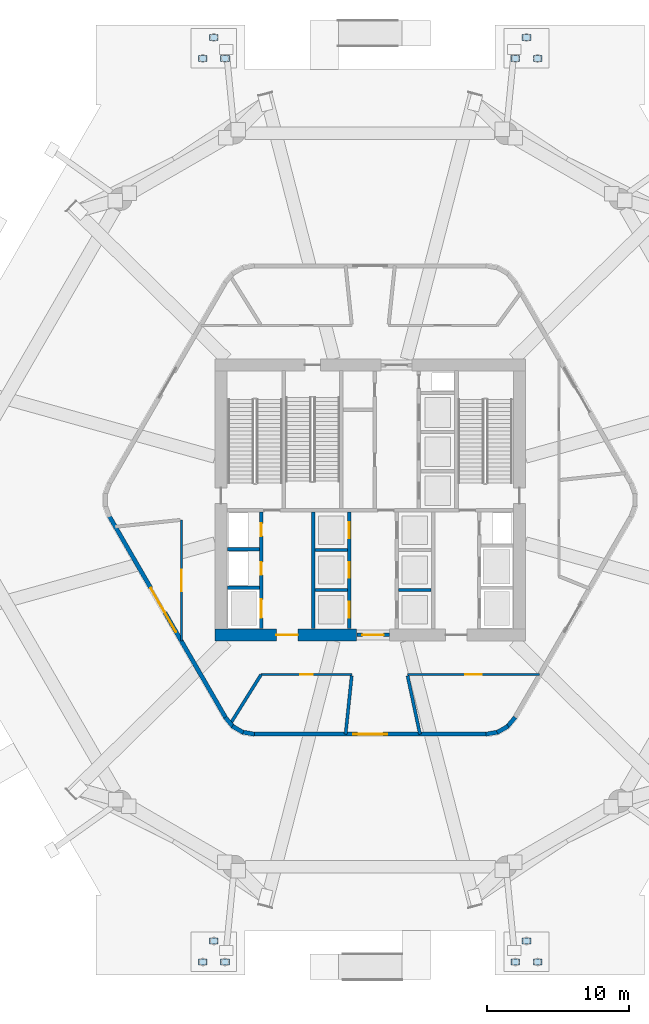
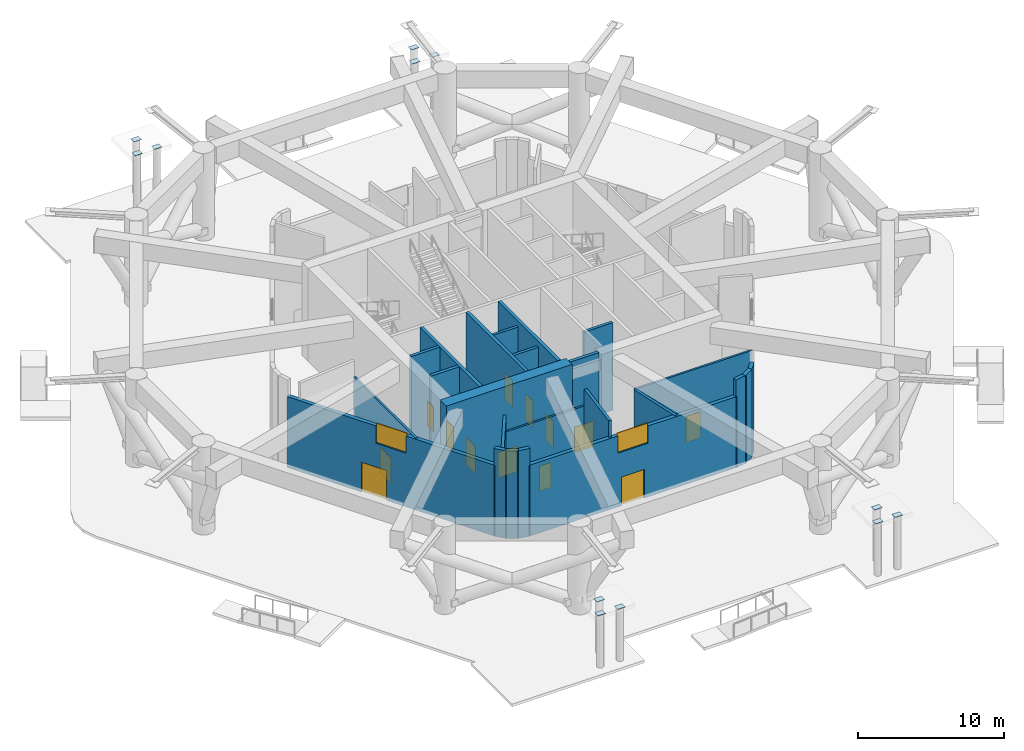
# One storey, part 9 of 17: 24 walls, 13 doors, 12 plates, 2 windows, 15 openings.
"""IFC4 building model written with IfcOpenShell, lengths in metres."""

from ifc_helpers import new_model, si_unit, direction, frame, frame_2d, origin, origin_2d, place, context, subcontext, project, spatial, rectangle, extrude, material, layer, layer_set, type_object, element, fill, save


model = new_model("IFC4")

# Units and contexts
model_context = context("Model", 3, precision=1e-05, world=origin(), true_north=direction((0.0, 1.0)))
body_context = subcontext(model_context, "Body", "Model", "MODEL_VIEW")
ifc_project = project(units=[si_unit("LENGTHUNIT", "METRE"), si_unit("AREAUNIT", "SQUARE_METRE"), si_unit("VOLUMEUNIT", "CUBIC_METRE"), si_unit("PLANEANGLEUNIT", "RADIAN"), si_unit("MASSUNIT", "GRAM", prefix="KILO")], contexts=[model_context])

# Site, building, storey
site_placement = place(None, origin())
site = spatial("IfcSite", under=ifc_project, at=site_placement, CompositionType="ELEMENT")
building_placement = place(site_placement, origin())
building = spatial("IfcBuilding", under=site, at=building_placement, Name="Zuhravey Tower", CompositionType="ELEMENT")
storey_placement = place(building_placement, origin())
storey = spatial("IfcBuildingStorey", under=building, at=storey_placement, Name="L01", CompositionType="ELEMENT", Elevation=0.0)

# Plates
ifc_material_1 = material(Name="Steel SM460", Category="steel")
ifc_layer_1 = layer(ifc_material_1, 0.030029296875)
ifc_layer_set_1 = layer_set([ifc_layer_1], Name="Steel SM460")
plate_type = type_object("IfcPlateType", Name="Crown Base Anchor Node Plate ND9", PredefinedType="SHEET", material=ifc_layer_set_1)
for number, where, z_axis, x_axis, name in (
    (1, (24.219970703125, -0.52001953125, 4.41943359375), (0.0, 0.0, 1.0), (1.0, 0.0, 0.0), "L01 Canopy Column Cap Plate ND9-S1.1"),
    (2, (25.780029296875, -0.52001953125, 4.41943359375), (0.0, 0.0, 1.0), (1.0, 0.0, 0.0), "L01 Canopy Column Cap Plate ND9-S1.2"),
    (3, (25.0, 0.9599609375, 4.41943359375), (0.0, 0.0, 1.0), (1.0, 0.0, 0.0), "L01 Canopy Column Cap Plate ND9-S1.3"),
    (4, (46.219970703125, -0.52001953125, 4.41943359375), (0.0, 0.0, 1.0), (1.0, 0.0, 0.0), "L01 Canopy Column Cap Plate ND9-S2.1"),
    (5, (47.780029296875, -0.52001953125, 4.41943359375), (0.0, 0.0, 1.0), (1.0, 0.0, 0.0), "L01 Canopy Column Cap Plate ND9-S2.2"),
    (6, (47.0, 0.9599609375, 4.41943359375), (0.0, 0.0, 1.0), (1.0, 0.0, 0.0), "L01 Canopy Column Cap Plate ND9-S2.3"),
    (7, (24.219970703125, 63.080078125, 4.41943359375), (0.0, 0.0, 1.0), (1.0, 0.0, 0.0), "L01 Canopy Column Cap Plate ND9-N1.1"),
    (8, (25.780029296875, 63.080078125, 4.41943359375), (0.0, 0.0, 1.0), (1.0, 0.0, 0.0), "L01 Canopy Column Cap Plate ND9-N1.2"),
    (9, (25.0, 64.56005859375, 4.41943359375), (0.0, 0.0, 1.0), (1.0, 0.0, 0.0), "L01 Canopy Column Cap Plate ND9-N1.3"),
    (10, (46.219970703125, 63.080078125, 4.41943359375), (0.0, 0.0, 1.0), (1.0, 0.0, 0.0), "L01 Canopy Column Cap Plate ND9-N2.1"),
    (11, (47.780029296875, 63.080078125, 4.41943359375), (0.0, 0.0, 1.0), (1.0, 0.0, 0.0), "L01 Canopy Column Cap Plate ND9-N2.2"),
    (12, (47.0, 64.56005859375, 4.41943359375), (0.0, 0.0, 1.0), (1.0, 0.0, 0.0), "L01 Canopy Column Cap Plate ND9-N2.3"),
):
    element("IfcPlate", number, at=place(storey_placement, frame(where, z_axis=z_axis, x_axis=x_axis)), inside=storey, type_object=plate_type, Name=name, PredefinedType="SHEET", context=body_context, shape_type="SweptSolid", body=[
        extrude(rectangle(XDim=0.60009765625, YDim=0.43994140625, at=origin_2d()), origin(), (0.0, 0.0, 1.0), 0.030029296875),
    ])

# Wall, opening, door
ifc_material_2 = material(Name="Concrete C60/75", Category="concrete")
ifc_layer_2 = layer(ifc_material_2, 0.85009765625)
ifc_layer_set_2 = layer_set([ifc_layer_2], Name="Concrete C60/75")
wall_type_1 = type_object("IfcWallType", Name="Core Shear Wall 850", PredefinedType="SHEAR", material=ifc_layer_set_2)
wall_1_placement = place(storey_placement, frame((25.074951171875, 22.5, 0.0), z_axis=(0.0, 0.0, 1.0), x_axis=(1.0, 0.0, 0.0)))
wall_1 = element("IfcWall", 13, at=wall_1_placement, inside=storey, type_object=wall_type_1, Name="L01 South-West Core Shear Wall CW85", PredefinedType="SHEAR", context=body_context, shape_type="SweptSolid", body=[
    extrude(rectangle(XDim=9.97509765625, YDim=0.85009765625, at=frame_2d((4.987548828125, 0.0))), origin(), (0.0, 0.0, 1.0), 7.800048828125),
])
opening_1_placement = place(wall_1_placement, frame((4.324951171875, 0.0, 0.0)))
opening_1 = element("IfcOpeningElement", 14, at=opening_1_placement, cuts=wall_1, Name="Opening FFD1", PredefinedType="OPENING", context=body_context, shape_type="SweptSolid", body=[
    extrude(rectangle(XDim=1.5, YDim=2.14990234375, at=frame_2d((0.75, 1.074951171875))), frame((0.0, 0.43701171875, 0.0), z_axis=(0.0, -1.0, 0.0), x_axis=(1.0, 0.0, 0.0)), (0.0, 0.0, 1.0), 0.8740234375),
])
ifc_material_3 = material(Name="Galvanised fire-rated steel leaf", Category="steel")
door_type_1 = type_object("IfcDoorType", Name="Firefighting Lobby Double Door 1500x2150", OperationType="DOUBLE_DOOR_SINGLE_SWING", PredefinedType="DOOR", material=ifc_material_3)
door_1_placement = place(opening_1_placement, frame((1.5, 0.0, 0.0), z_axis=(0.0, 0.0, 1.0), x_axis=(-1.0, 0.0, 0.0)))
door_1 = element("IfcDoor", 15, at=door_1_placement, inside=storey, type_object=door_type_1, Name="L01 Firefighting Lobby West Door", OperationType="DOUBLE_DOOR_SINGLE_SWING", OverallHeight=2.14990234375, OverallWidth=1.5, PredefinedType="DOOR", context=body_context, shape_type="SweptSolid", body=[
    extrude(rectangle(XDim=1.5, YDim=2.14990234375, at=frame_2d((0.75, 1.074951171875))), frame((0.0, 0.02490234375, 0.0), z_axis=(0.0, -1.0, 0.0), x_axis=(1.0, 0.0, 0.0)), (0.0, 0.0, 1.0), 0.050048828125),
])
fill(opening_1, door_1)

ifc_material_4 = material(Name="Gypsum fire-rated stud partition")
ifc_layer_3 = layer(ifc_material_4, 0.159912109375)
ifc_layer_set_3 = layer_set([ifc_layer_3], Name="Gypsum fire-rated stud partition")
wall_type_2 = type_object("IfcWallType", Name="Corridor Fire Partition 160", PredefinedType="PARTITIONING", material=ifc_layer_set_3)
wall_2_placement = place(storey_placement, frame((22.715087890625, 30.603759765625, 0.0), z_axis=(0.0, 0.0, 1.0), x_axis=(0.0, -1.0, 0.0)))
wall_2 = element("IfcWall", 16, at=wall_2_placement, inside=storey, type_object=wall_type_2, Name="L01 IW16 Partition 019", PredefinedType="PARTITIONING", context=body_context, shape_type="SweptSolid", body=[
    extrude(rectangle(XDim=8.52880859375, YDim=0.159912109375, at=frame_2d((4.264404296875, 0.0))), origin(), (0.0, 0.0, 1.0), 5.949951171875),
])
opening_2_placement = place(wall_2_placement, frame((3.514404296875, 0.0, 0.0)))
opening_2 = element("IfcOpeningElement", 17, at=opening_2_placement, cuts=wall_2, Name="Opening FFD1", PredefinedType="OPENING", context=body_context, shape_type="SweptSolid", body=[
    extrude(rectangle(XDim=1.5, YDim=2.14990234375, at=frame_2d((0.75, 1.074951171875))), frame((0.0, 0.092041015625, 0.0), z_axis=(0.0, -1.0, 0.0), x_axis=(1.0, 0.0, 0.0)), (0.0, 0.0, 1.0), 0.183837890625),
])
door_2_placement = place(opening_2_placement, frame((1.5, 0.0, 0.0), z_axis=(0.0, 0.0, 1.0), x_axis=(-1.0, 0.0, 0.0)))
door_2 = element("IfcDoor", 18, at=door_2_placement, inside=storey, type_object=door_type_1, Name="L01 Door 019.1", OperationType="DOUBLE_DOOR_SINGLE_SWING", OverallHeight=2.14990234375, OverallWidth=1.5, PredefinedType="DOOR", context=body_context, shape_type="SweptSolid", body=[
    extrude(rectangle(XDim=1.5, YDim=2.14990234375, at=frame_2d((0.75, 1.074951171875))), frame((0.0, 0.02490234375, 0.0), z_axis=(0.0, -1.0, 0.0), x_axis=(1.0, 0.0, 0.0)), (0.0, 0.0, 1.0), 0.050048828125),
])
fill(opening_2, door_2)

wall_3_placement = place(storey_placement, frame((38.611328125, 19.715087890625, 0.0), z_axis=(0.0, 0.0, 1.0), x_axis=(1.0, 0.0, 0.0)))
wall_3 = element("IfcWall", 19, at=wall_3_placement, inside=storey, type_object=wall_type_2, Name="L01 IW16 Partition 021", PredefinedType="PARTITIONING", context=body_context, shape_type="SweptSolid", body=[
    extrude(rectangle(XDim=9.311279296875, YDim=0.159912109375, at=frame_2d((4.65576171875, 0.0))), origin(), (0.0, 0.0, 1.0), 5.949951171875),
])
opening_3_placement = place(wall_3_placement, frame((4.08056640625, 0.0, 0.0)))
opening_3 = element("IfcOpeningElement", 20, at=opening_3_placement, cuts=wall_3, Name="Opening CLD1", PredefinedType="OPENING", context=body_context, shape_type="SweptSolid", body=[
    extrude(rectangle(XDim=1.14990234375, YDim=2.199951171875, at=frame_2d((0.574951171875, 1.10009765625))), frame((0.0, 0.092041015625, 0.0), z_axis=(0.0, -1.0, 0.0), x_axis=(1.0, 0.0, 0.0)), (0.0, 0.0, 1.0), 0.183837890625),
])
ifc_material_5 = material(Name="Acoustic timber leaf with vision lite", Category="wood")
door_type_2 = type_object("IfcDoorType", Name="Classroom Acoustic Door 1150x2200", OperationType="NOTDEFINED", PredefinedType="DOOR", material=ifc_material_5)
door_3_placement = place(opening_3_placement, frame((1.14990234375, 0.0, 0.0), z_axis=(0.0, 0.0, 1.0), x_axis=(-1.0, 0.0, 0.0)))
door_3 = element("IfcDoor", 21, at=door_3_placement, inside=storey, type_object=door_type_2, Name="L01 Door 021.1", OperationType="SINGLE_SWING_RIGHT", OverallHeight=2.199951171875, OverallWidth=1.14990234375, PredefinedType="DOOR", context=body_context, shape_type="SweptSolid", body=[
    extrude(rectangle(XDim=1.14990234375, YDim=2.199951171875, at=frame_2d((0.574951171875, 1.10009765625))), frame((0.0, 0.02490234375, 0.0), z_axis=(0.0, -1.0, 0.0), x_axis=(1.0, 0.0, 0.0)), (0.0, 0.0, 1.0), 0.050048828125),
])
fill(opening_3, door_3)

wall_4_placement = place(storey_placement, frame((28.323486328125, 19.715087890625, 0.0), z_axis=(0.0, 0.0, 1.0), x_axis=(1.0, 0.0, 0.0)))
wall_4 = element("IfcWall", 22, at=wall_4_placement, inside=storey, type_object=wall_type_2, Name="L01 IW16 Partition 026", PredefinedType="PARTITIONING", context=body_context, shape_type="SweptSolid", body=[
    extrude(rectangle(XDim=6.38525390625, YDim=0.159912109375, at=frame_2d((3.192626953125, 0.0))), origin(), (0.0, 0.0, 1.0), 5.949951171875),
])
opening_4_placement = place(wall_4_placement, frame((2.74267578125, 0.0, 0.0)))
opening_4 = element("IfcOpeningElement", 23, at=opening_4_placement, cuts=wall_4, Name="Opening RSD1", PredefinedType="OPENING", context=body_context, shape_type="SweptSolid", body=[
    extrude(rectangle(XDim=0.89990234375, YDim=2.10009765625, at=frame_2d((0.449951171875, 1.050048828125))), frame((0.0, 0.092041015625, 0.0), z_axis=(0.0, -1.0, 0.0), x_axis=(1.0, 0.0, 0.0)), (0.0, 0.0, 1.0), 0.183837890625),
])
ifc_material_6 = material(Name="Galvanised fire-rated steel access leaf", Category="steel")
door_type_3 = type_object("IfcDoorType", Name="Riser & Shaft Access Fire Door 900x2100", OperationType="NOTDEFINED", PredefinedType="DOOR", material=ifc_material_6)
door_4_placement = place(opening_4_placement, frame((0.89990234375, 0.0, 0.0), z_axis=(0.0, 0.0, 1.0), x_axis=(-1.0, 0.0, 0.0)))
door_4 = element("IfcDoor", 24, at=door_4_placement, inside=storey, type_object=door_type_3, Name="L01 Door 026.1", OperationType="SINGLE_SWING_LEFT", OverallHeight=2.10009765625, OverallWidth=0.89990234375, PredefinedType="DOOR", context=body_context, shape_type="SweptSolid", body=[
    extrude(rectangle(XDim=0.89990234375, YDim=2.10009765625, at=frame_2d((0.449951171875, 1.050048828125))), frame((0.0, 0.02490234375, 0.0), z_axis=(0.0, -1.0, 0.0), x_axis=(1.0, 0.0, 0.0)), (0.0, 0.0, 1.0), 0.050048828125),
])
fill(opening_4, door_4)

ifc_material_7 = material(Name="Concrete C50/60", Category="concrete")
ifc_layer_4 = layer(ifc_material_7, 0.25)
ifc_layer_set_4 = layer_set([ifc_layer_4], Name="Concrete C50/60")
wall_type_3 = type_object("IfcWallType", Name="Firefighting Shaft & Stair Wall 250", PredefinedType="SOLIDWALL", material=ifc_layer_set_4)
wall_5_placement = place(storey_placement, frame((35.06005859375, 22.5, 0.0), z_axis=(0.0, 0.0, 1.0), x_axis=(1.0, 0.0, 0.0)))
wall_5 = element("IfcWall", 25, at=wall_5_placement, inside=storey, type_object=wall_type_3, Name="L01 FW25 Shaft Wall 001", PredefinedType="SOLIDWALL", context=body_context, shape_type="SweptSolid", body=[
    extrude(rectangle(XDim=2.280029296875, YDim=0.25, at=frame_2d((1.14013671875, 0.0))), origin(), (0.0, 0.0, 1.0), 7.800048828125),
])
opening_5_placement = place(wall_5_placement, frame((0.389892578125, 0.0, 0.0)))
opening_5 = element("IfcOpeningElement", 26, at=opening_5_placement, cuts=wall_5, Name="Opening FFD1", PredefinedType="OPENING", context=body_context, shape_type="SweptSolid", body=[
    extrude(rectangle(XDim=1.5, YDim=2.14990234375, at=frame_2d((0.75, 1.074951171875))), frame((0.0, 0.136962890625, 0.0), z_axis=(0.0, -1.0, 0.0), x_axis=(1.0, 0.0, 0.0)), (0.0, 0.0, 1.0), 0.27392578125),
])
door_5_placement = place(opening_5_placement, frame((1.5, 0.0, 0.0), z_axis=(0.0, 0.0, 1.0), x_axis=(-1.0, 0.0, 0.0)))
door_5 = element("IfcDoor", 27, at=door_5_placement, inside=storey, type_object=door_type_1, Name="L01 South Lift Lobby Exit Door", OperationType="DOUBLE_DOOR_SINGLE_SWING", OverallHeight=2.14990234375, OverallWidth=1.5, PredefinedType="DOOR", context=body_context, shape_type="SweptSolid", body=[
    extrude(rectangle(XDim=1.5, YDim=2.14990234375, at=frame_2d((0.75, 1.074951171875))), frame((0.0, 0.02490234375, 0.0), z_axis=(0.0, -1.0, 0.0), x_axis=(1.0, 0.0, 0.0)), (0.0, 0.0, 1.0), 0.050048828125),
])
fill(opening_5, door_5)

# Walls
for number, where, z_axis, x_axis, name in (
    (28, (25.949951171875, 25.824951171875, 0.0), (0.0, 0.0, 1.0), (1.0, 0.0, 0.0), "L01 FW25 Shaft Wall 009"),
    (29, (25.949951171875, 28.52490234375, 0.0), (0.0, 0.0, 1.0), (1.0, 0.0, 0.0), "L01 FW25 Shaft Wall 010"),
):
    element("IfcWall", number, at=place(storey_placement, frame(where, z_axis=z_axis, x_axis=x_axis)), inside=storey, type_object=wall_type_3, Name=name, PredefinedType="SOLIDWALL", context=body_context, shape_type="SweptSolid", body=[
        extrude(rectangle(XDim=2.25, YDim=0.25, at=frame_2d((1.125, 0.0))), origin(), (0.0, 0.0, 1.0), 7.800048828125),
    ])

# Wall, openings, doors
wall_6_placement = place(storey_placement, frame((28.324951171875, 22.949951171875, 0.0), z_axis=(0.0, 0.0, 1.0), x_axis=(0.0, 1.0, 0.0)))
wall_6 = element("IfcWall", 30, at=wall_6_placement, inside=storey, type_object=wall_type_3, Name="L01 FW25 Shaft Wall 011", PredefinedType="SOLIDWALL", context=body_context, shape_type="SweptSolid", body=[
    extrude(rectangle(XDim=8.199951171875, YDim=0.25, at=frame_2d((4.10009765625, 0.0))), origin(), (0.0, 0.0, 1.0), 7.800048828125),
])
opening_6_placement = place(wall_6_placement, frame((0.75, 0.0, 0.0)))
opening_6 = element("IfcOpeningElement", 31, at=opening_6_placement, cuts=wall_6, Name="Opening LD2", PredefinedType="OPENING", context=body_context, shape_type="SweptSolid", body=[
    extrude(rectangle(XDim=1.300048828125, YDim=2.300048828125, at=frame_2d((0.64990234375, 1.14990234375))), frame((0.0, 0.136962890625, 0.0), z_axis=(0.0, -1.0, 0.0), x_axis=(1.0, 0.0, 0.0)), (0.0, 0.0, 1.0), 0.27392578125),
])
opening_7_placement = place(wall_6_placement, frame((3.780029296875, 0.0, 0.0)))
opening_7 = element("IfcOpeningElement", 32, at=opening_7_placement, cuts=wall_6, Name="Opening RSD1", PredefinedType="OPENING", context=body_context, shape_type="SweptSolid", body=[
    extrude(rectangle(XDim=0.89990234375, YDim=2.10009765625, at=frame_2d((0.449951171875, 1.050048828125))), frame((0.0, 0.136962890625, 0.0), z_axis=(0.0, -1.0, 0.0), x_axis=(1.0, 0.0, 0.0)), (0.0, 0.0, 1.0), 0.27392578125),
])
opening_8_placement = place(wall_6_placement, frame((6.5, 0.0, 0.0)))
opening_8 = element("IfcOpeningElement", 33, at=opening_8_placement, cuts=wall_6, Name="Opening RSD1", PredefinedType="OPENING", context=body_context, shape_type="SweptSolid", body=[
    extrude(rectangle(XDim=0.89990234375, YDim=2.10009765625, at=frame_2d((0.449951171875, 1.050048828125))), frame((0.0, 0.136962890625, 0.0), z_axis=(0.0, -1.0, 0.0), x_axis=(1.0, 0.0, 0.0)), (0.0, 0.0, 1.0), 0.27392578125),
])
ifc_material_8 = material(Name="Brushed stainless steel", Category="steel")
door_type_4 = type_object("IfcDoorType", Name="Freight & Stretcher Lift Sliding Door 1300x2300", OperationType="DOUBLE_DOOR_SLIDING", PredefinedType="DOOR", material=ifc_material_8)
door_6_placement = place(opening_6_placement, frame((1.300048828125, 0.0, 0.0), z_axis=(0.0, 0.0, 1.0), x_axis=(-1.0, 0.0, 0.0)))
door_6 = element("IfcDoor", 34, at=door_6_placement, inside=storey, type_object=door_type_4, Name="L01 Lift FF1 Landing Door", OperationType="DOUBLE_DOOR_SLIDING", OverallHeight=2.300048828125, OverallWidth=1.300048828125, PredefinedType="DOOR", context=body_context, shape_type="SweptSolid", body=[
    extrude(rectangle(XDim=1.300048828125, YDim=2.300048828125, at=frame_2d((0.64990234375, 1.14990234375))), frame((0.0, 0.02490234375, 0.0), z_axis=(0.0, -1.0, 0.0), x_axis=(1.0, 0.0, 0.0)), (0.0, 0.0, 1.0), 0.050048828125),
])
fill(opening_6, door_6)
door_7_placement = place(opening_7_placement, frame((0.89990234375, 0.0, 0.0), z_axis=(0.0, 0.0, 1.0), x_axis=(-1.0, 0.0, 0.0)))
door_7 = element("IfcDoor", 35, at=door_7_placement, inside=storey, type_object=door_type_3, Name="L01 Electrical Riser Door", OperationType="SINGLE_SWING_LEFT", OverallHeight=2.10009765625, OverallWidth=0.89990234375, PredefinedType="DOOR", context=body_context, shape_type="SweptSolid", body=[
    extrude(rectangle(XDim=0.89990234375, YDim=2.10009765625, at=frame_2d((0.449951171875, 1.050048828125))), frame((0.0, 0.02490234375, 0.0), z_axis=(0.0, -1.0, 0.0), x_axis=(1.0, 0.0, 0.0)), (0.0, 0.0, 1.0), 0.050048828125),
])
fill(opening_7, door_7)
door_8_placement = place(opening_8_placement, frame((0.89990234375, 0.0, 0.0), z_axis=(0.0, 0.0, 1.0), x_axis=(-1.0, 0.0, 0.0)))
door_8 = element("IfcDoor", 36, at=door_8_placement, inside=storey, type_object=door_type_3, Name="L01 Smoke Shaft Access Door", OperationType="SINGLE_SWING_RIGHT", OverallHeight=2.10009765625, OverallWidth=0.89990234375, PredefinedType="DOOR", context=body_context, shape_type="SweptSolid", body=[
    extrude(rectangle(XDim=0.89990234375, YDim=2.10009765625, at=frame_2d((0.449951171875, 1.050048828125))), frame((0.0, 0.02490234375, 0.0), z_axis=(0.0, -1.0, 0.0), x_axis=(1.0, 0.0, 0.0)), (0.0, 0.0, 1.0), 0.050048828125),
])
fill(opening_8, door_8)

# Wall
wall_7_placement = place(storey_placement, frame((31.97509765625, 22.949951171875, 0.0), z_axis=(0.0, 0.0, 1.0), x_axis=(0.0, 1.0, 0.0)))
element("IfcWall", 37, at=wall_7_placement, inside=storey, type_object=wall_type_3, Name="L01 FW25 Shaft Wall 012", PredefinedType="SOLIDWALL", context=body_context, shape_type="SweptSolid", body=[
    extrude(rectangle(XDim=8.199951171875, YDim=0.25, at=frame_2d((4.10009765625, 0.0))), origin(), (0.0, 0.0, 1.0), 7.800048828125),
])

# Wall, openings, doors
wall_8_placement = place(storey_placement, frame((34.52490234375, 22.949951171875, 0.0), z_axis=(0.0, 0.0, 1.0), x_axis=(0.0, 1.0, 0.0)))
wall_8 = element("IfcWall", 38, at=wall_8_placement, inside=storey, type_object=wall_type_3, Name="L01 FW25 Shaft Wall 013", PredefinedType="SOLIDWALL", context=body_context, shape_type="SweptSolid", body=[
    extrude(rectangle(XDim=8.199951171875, YDim=0.25, at=frame_2d((4.10009765625, 0.0))), origin(), (0.0, 0.0, 1.0), 7.800048828125),
])
opening_9_placement = place(wall_8_placement, frame((0.77490234375, 0.0, 0.0)))
opening_9 = element("IfcOpeningElement", 39, at=opening_9_placement, cuts=wall_8, Name="Opening LD1", PredefinedType="OPENING", context=body_context, shape_type="SweptSolid", body=[
    extrude(rectangle(XDim=1.10009765625, YDim=2.199951171875, at=frame_2d((0.550048828125, 1.10009765625))), frame((0.0, 0.136962890625, 0.0), z_axis=(0.0, -1.0, 0.0), x_axis=(1.0, 0.0, 0.0)), (0.0, 0.0, 1.0), 0.27392578125),
])
opening_10_placement = place(wall_8_placement, frame((3.574951171875, 0.0, 0.0)))
opening_10 = element("IfcOpeningElement", 40, at=opening_10_placement, cuts=wall_8, Name="Opening LD1", PredefinedType="OPENING", context=body_context, shape_type="SweptSolid", body=[
    extrude(rectangle(XDim=1.10009765625, YDim=2.199951171875, at=frame_2d((0.550048828125, 1.10009765625))), frame((0.0, 0.136962890625, 0.0), z_axis=(0.0, -1.0, 0.0), x_axis=(1.0, 0.0, 0.0)), (0.0, 0.0, 1.0), 0.27392578125),
])
opening_11_placement = place(wall_8_placement, frame((6.375, 0.0, 0.0)))
opening_11 = element("IfcOpeningElement", 41, at=opening_11_placement, cuts=wall_8, Name="Opening LD1", PredefinedType="OPENING", context=body_context, shape_type="SweptSolid", body=[
    extrude(rectangle(XDim=1.10009765625, YDim=2.199951171875, at=frame_2d((0.550048828125, 1.10009765625))), frame((0.0, 0.136962890625, 0.0), z_axis=(0.0, -1.0, 0.0), x_axis=(1.0, 0.0, 0.0)), (0.0, 0.0, 1.0), 0.27392578125),
])
door_type_5 = type_object("IfcDoorType", Name="Lift Landing Sliding Door 1100x2200", OperationType="DOUBLE_DOOR_SLIDING", PredefinedType="DOOR", material=ifc_material_8)
door_9_placement = place(opening_9_placement, frame((1.10009765625, 0.0, 0.0), z_axis=(0.0, 0.0, 1.0), x_axis=(-1.0, 0.0, 0.0)))
door_9 = element("IfcDoor", 42, at=door_9_placement, inside=storey, type_object=door_type_5, Name="L01 Lift PL1 Landing Door", OperationType="DOUBLE_DOOR_SLIDING", OverallHeight=2.199951171875, OverallWidth=1.10009765625, PredefinedType="DOOR", context=body_context, shape_type="SweptSolid", body=[
    extrude(rectangle(XDim=1.10009765625, YDim=2.199951171875, at=frame_2d((0.550048828125, 1.10009765625))), frame((0.0, 0.02490234375, 0.0), z_axis=(0.0, -1.0, 0.0), x_axis=(1.0, 0.0, 0.0)), (0.0, 0.0, 1.0), 0.050048828125),
])
fill(opening_9, door_9)
door_10_placement = place(opening_10_placement, frame((1.10009765625, 0.0, 0.0), z_axis=(0.0, 0.0, 1.0), x_axis=(-1.0, 0.0, 0.0)))
door_10 = element("IfcDoor", 43, at=door_10_placement, inside=storey, type_object=door_type_5, Name="L01 Lift PL2 Landing Door", OperationType="DOUBLE_DOOR_SLIDING", OverallHeight=2.199951171875, OverallWidth=1.10009765625, PredefinedType="DOOR", context=body_context, shape_type="SweptSolid", body=[
    extrude(rectangle(XDim=1.10009765625, YDim=2.199951171875, at=frame_2d((0.550048828125, 1.10009765625))), frame((0.0, 0.02490234375, 0.0), z_axis=(0.0, -1.0, 0.0), x_axis=(1.0, 0.0, 0.0)), (0.0, 0.0, 1.0), 0.050048828125),
])
fill(opening_10, door_10)
door_11_placement = place(opening_11_placement, frame((1.10009765625, 0.0, 0.0), z_axis=(0.0, 0.0, 1.0), x_axis=(-1.0, 0.0, 0.0)))
door_11 = element("IfcDoor", 44, at=door_11_placement, inside=storey, type_object=door_type_5, Name="L01 Lift PL3 Landing Door", OperationType="DOUBLE_DOOR_SLIDING", OverallHeight=2.199951171875, OverallWidth=1.10009765625, PredefinedType="DOOR", context=body_context, shape_type="SweptSolid", body=[
    extrude(rectangle(XDim=1.10009765625, YDim=2.199951171875, at=frame_2d((0.550048828125, 1.10009765625))), frame((0.0, 0.02490234375, 0.0), z_axis=(0.0, -1.0, 0.0), x_axis=(1.0, 0.0, 0.0)), (0.0, 0.0, 1.0), 0.050048828125),
])
fill(opening_11, door_11)

# Walls
ifc_material_9 = material(Name="Gypsum acoustic stud assembly")
ifc_layer_5 = layer(ifc_material_9, 0.219970703125)
ifc_layer_set_5 = layer_set([ifc_layer_5], Name="Gypsum acoustic stud assembly")
wall_type_4 = type_object("IfcWallType", Name="School Acoustic Compartment Wall 220", PredefinedType="PARTITIONING", material=ifc_layer_set_5)
for number, where, z_axis, x_axis, name in (
    (45, (32.10791015625, 25.675048828125, 0.0), (0.0, 0.0, 1.0), (1.0, 0.0, 0.0), "L01 IW22 Partition 031"),
    (46, (32.10791015625, 28.47509765625, 0.0), (0.0, 0.0, 1.0), (1.0, 0.0, 0.0), "L01 IW22 Partition 032"),
):
    element("IfcWall", number, at=place(storey_placement, frame(where, z_axis=z_axis, x_axis=x_axis)), inside=storey, type_object=wall_type_4, Name=name, PredefinedType="PARTITIONING", context=body_context, shape_type="SweptSolid", body=[
        extrude(rectangle(XDim=2.2841796875, YDim=0.219970703125, at=frame_2d((1.14208984375, 0.0))), origin(), (0.0, 0.0, 1.0), 7.35009765625),
    ])
wall_9_placement = place(storey_placement, frame((38.008056640625, 25.675048828125, 0.0), z_axis=(0.0, 0.0, 1.0), x_axis=(1.0, 0.0, 0.0)))
element("IfcWall", 47, at=wall_9_placement, inside=storey, type_object=wall_type_4, Name="L01 IW22 Partition 033", PredefinedType="PARTITIONING", context=body_context, shape_type="SweptSolid", body=[
    extrude(rectangle(XDim=2.283935546875, YDim=0.219970703125, at=frame_2d((1.14208984375, 0.0))), origin(), (0.0, 0.0, 1.0), 7.35009765625),
])
wall_10_placement = place(storey_placement, frame((28.323486328125, 19.715087890625, 0.0), z_axis=(0.0, 0.0, 1.0), x_axis=(-0.529918340132, -0.848048673598, 0.0)))
element("IfcWall", 48, at=wall_10_placement, inside=storey, type_object=wall_type_4, Name="L01 IW22 Partition 036", PredefinedType="PARTITIONING", context=body_context, shape_type="SweptSolid", body=[
    extrude(rectangle(XDim=4.084228515625, YDim=0.219970703125, at=frame_2d((2.0419921875, 0.0))), origin(), (0.0, 0.0, 1.0), 7.35009765625),
])
wall_11_placement = place(storey_placement, frame((38.6298828125, 19.626953125, 0.0), z_axis=(0.0, 0.0, 1.0), x_axis=(0.207943436246, -0.978140852496, 0.0)))
element("IfcWall", 49, at=wall_11_placement, inside=storey, type_object=wall_type_4, Name="L01 IW22 Partition 039", PredefinedType="PARTITIONING", context=body_context, shape_type="SweptSolid", body=[
    extrude(rectangle(XDim=4.206787109375, YDim=0.219970703125, at=frame_2d((2.103515625, 0.0))), origin(), (0.0, 0.0, 1.0), 5.949951171875),
])
wall_12_placement = place(storey_placement, frame((34.699462890625, 19.626953125, 0.0), z_axis=(0.0, 0.0, 1.0), x_axis=(-0.1045035548, -0.994524513038, 0.0)))
element("IfcWall", 50, at=wall_12_placement, inside=storey, type_object=wall_type_4, Name="L01 IW22 Partition 044", PredefinedType="PARTITIONING", context=body_context, shape_type="SweptSolid", body=[
    extrude(rectangle(XDim=4.137451171875, YDim=0.219970703125, at=frame_2d((2.06884765625, 0.0))), origin(), (0.0, 0.0, 1.0), 7.35009765625),
])
ifc_material_10 = material(Name="Precast concrete C40/50", Category="concrete")
ifc_layer_6 = layer(ifc_material_10, 0.300048828125)
ifc_layer_set_6 = layer_set([ifc_layer_6], Name="Precast concrete C40/50")
wall_type_5 = type_object("IfcWallType", Name="Stilt Pavilion Enclosure Wall 300", PredefinedType="SOLIDWALL", material=ifc_layer_set_6)
wall_13_placement = place(storey_placement, frame((46.204833984375, 16.70068359375, 0.0), z_axis=(0.0, 0.0, 1.0), x_axis=(-0.64283728984, -0.766002753775, 0.0)))
element("IfcWall", 51, at=wall_13_placement, inside=storey, type_object=wall_type_5, Name="L01 Pavilion Enclosure Wall EW30-02", PredefinedType="SOLIDWALL", context=body_context, shape_type="SweptSolid", body=[
    extrude(rectangle(XDim=0.90380859375, YDim=0.300048828125, at=frame_2d((0.451904296875, 0.0))), origin(), (0.0, 0.0, 1.0), 7.35009765625),
])
wall_14_placement = place(storey_placement, frame((45.706787109375, 16.077880859375, 0.0), z_axis=(0.0, 0.0, 1.0), x_axis=(-0.866007538022, -0.500030943131, 0.0)))
element("IfcWall", 52, at=wall_14_placement, inside=storey, type_object=wall_type_5, Name="L01 Pavilion Enclosure Wall EW30-03", PredefinedType="SOLIDWALL", context=body_context, shape_type="SweptSolid", body=[
    extrude(rectangle(XDim=0.890625, YDim=0.300048828125, at=frame_2d((0.4453125, 0.0))), origin(), (0.0, 0.0, 1.0), 7.35009765625),
])
wall_15_placement = place(storey_placement, frame((45.037353515625, 15.669677734375, 0.0), z_axis=(0.0, 0.0, 1.0), x_axis=(-0.984802587151, -0.173677472172, 0.0)))
element("IfcWall", 53, at=wall_15_placement, inside=storey, type_object=wall_type_5, Name="L01 Pavilion Enclosure Wall EW30-04", PredefinedType="SOLIDWALL", context=body_context, shape_type="SweptSolid", body=[
    extrude(rectangle(XDim=0.90380859375, YDim=0.300048828125, at=frame_2d((0.451904296875, 0.0))), origin(), (0.0, 0.0, 1.0), 7.35009765625),
])

# Wall, openings, door, window
wall_16_placement = place(storey_placement, frame((44.25634765625, 15.522216796875, 0.0), z_axis=(0.0, 0.0, 1.0), x_axis=(-1.0, 0.0, 0.0)))
wall_16 = element("IfcWall", 54, at=wall_16_placement, inside=storey, type_object=wall_type_5, Name="L01 Pavilion Enclosure Wall EW30-05", PredefinedType="SOLIDWALL", context=body_context, shape_type="SweptSolid", body=[
    extrude(rectangle(XDim=16.5126953125, YDim=0.300048828125, at=frame_2d((8.25634765625, 0.0))), origin(), (0.0, 0.0, 1.0), 5.949951171875),
])
opening_12_placement = place(wall_16_placement, frame((7.356201171875, 0.0, 0.0)))
opening_12 = element("IfcOpeningElement", 55, at=opening_12_placement, cuts=wall_16, Name="Opening EXD1", PredefinedType="OPENING", context=body_context, shape_type="SweptSolid", body=[
    extrude(rectangle(XDim=1.800048828125, YDim=2.39990234375, at=frame_2d((0.89990234375, 1.199951171875))), frame((0.0, 0.162109375, 0.0), z_axis=(0.0, -1.0, 0.0), x_axis=(1.0, 0.0, 0.0)), (0.0, 0.0, 1.0), 0.323974609375),
])
opening_13_placement = place(wall_16_placement, frame((7.056396484375, 0.0, 4.5)))
opening_13 = element("IfcOpeningElement", 56, at=opening_13_placement, cuts=wall_16, Name="Opening WN1", PredefinedType="OPENING", context=body_context, shape_type="SweptSolid", body=[
    extrude(rectangle(XDim=2.39990234375, YDim=1.60009765625, at=frame_2d((1.199951171875, 0.800048828125))), frame((0.0, 0.162109375, 0.0), z_axis=(0.0, -1.0, 0.0), x_axis=(1.0, 0.0, 0.0)), (0.0, 0.0, 1.0), 0.323974609375),
])
ifc_material_11 = material(Name="Anodised aluminium and safety glass", Category="aluminium")
door_type_6 = type_object("IfcDoorType", Name="Pedestrian Final Exit Double Door 1800x2400", OperationType="DOUBLE_DOOR_SINGLE_SWING", PredefinedType="USERDEFINED", material=ifc_material_11)
door_12_placement = place(opening_12_placement, origin())
door_12 = element("IfcDoor", 57, at=door_12_placement, inside=storey, type_object=door_type_6, Name="L01 Final Exit Door EX-01", ObjectType="EXITDOOR", OperationType="DOUBLE_DOOR_SINGLE_SWING", OverallHeight=2.39990234375, OverallWidth=1.800048828125, PredefinedType="USERDEFINED", context=body_context, shape_type="SweptSolid", body=[
    extrude(rectangle(XDim=1.800048828125, YDim=2.39990234375, at=frame_2d((0.89990234375, 1.199951171875))), frame((0.0, 0.02490234375, 0.0), z_axis=(0.0, -1.0, 0.0), x_axis=(1.0, 0.0, 0.0)), (0.0, 0.0, 1.0), 0.050048828125),
])
fill(opening_12, door_12)
ifc_material_12 = material(Name="Thermally broken aluminium and triple low-E glass", Category="aluminium")
window_type = type_object("IfcWindowType", Name="Stilt Pavilion Clerestory Window 2400x1600", PartitioningType="SINGLE_PANEL", PredefinedType="WINDOW", material=ifc_material_12)
window_1_placement = place(opening_13_placement, origin())
window_1 = element("IfcWindow", 58, at=window_1_placement, inside=storey, type_object=window_type, Name="L01 Pavilion Clerestory Window WN1-05", OverallHeight=1.60009765625, OverallWidth=2.39990234375, PartitioningType="SINGLE_PANEL", PredefinedType="WINDOW", context=body_context, shape_type="SweptSolid", body=[
    extrude(rectangle(XDim=2.39990234375, YDim=1.60009765625, at=frame_2d((1.199951171875, 0.800048828125))), frame((0.0, 0.030029296875, 0.0), z_axis=(0.0, -1.0, 0.0), x_axis=(1.0, 0.0, 0.0)), (0.0, 0.0, 1.0), 0.06005859375),
])
fill(opening_13, window_1)

# Walls
wall_17_placement = place(storey_placement, frame((27.852783203125, 15.5126953125, 0.0), z_axis=(0.0, 0.0, 1.0), x_axis=(-0.984802587151, 0.173677472172, 0.0)))
element("IfcWall", 59, at=wall_17_placement, inside=storey, type_object=wall_type_5, Name="L01 Pavilion Enclosure Wall EW30-06", PredefinedType="SOLIDWALL", context=body_context, shape_type="SweptSolid", body=[
    extrude(rectangle(XDim=0.90380859375, YDim=0.300048828125, at=frame_2d((0.451904296875, 0.0))), origin(), (0.0, 0.0, 1.0), 7.35009765625),
])
wall_18_placement = place(storey_placement, frame((27.064453125, 15.632568359375, 0.0), z_axis=(0.0, 0.0, 1.0), x_axis=(-0.866007538022, 0.500030943131, 0.0)))
element("IfcWall", 60, at=wall_18_placement, inside=storey, type_object=wall_type_5, Name="L01 Pavilion Enclosure Wall EW30-07", PredefinedType="SOLIDWALL", context=body_context, shape_type="SweptSolid", body=[
    extrude(rectangle(XDim=0.890625, YDim=0.300048828125, at=frame_2d((0.4453125, 0.0))), origin(), (0.0, 0.0, 1.0), 7.35009765625),
])
wall_19_placement = place(storey_placement, frame((26.376220703125, 16.00830078125, 0.0), z_axis=(0.0, 0.0, 1.0), x_axis=(-0.64283728984, 0.766002753775, 0.0)))
element("IfcWall", 61, at=wall_19_placement, inside=storey, type_object=wall_type_5, Name="L01 Pavilion Enclosure Wall EW30-08", PredefinedType="SOLIDWALL", context=body_context, shape_type="SweptSolid", body=[
    extrude(rectangle(XDim=0.90380859375, YDim=0.300048828125, at=frame_2d((0.451904296875, 0.0))), origin(), (0.0, 0.0, 1.0), 7.35009765625),
])

# Wall, openings, door, window
wall_20_placement = place(storey_placement, frame((25.85791015625, 16.611083984375, 0.0), z_axis=(0.0, 0.0, 1.0), x_axis=(-0.49999847728, 0.866026282926, 0.0)))
wall_20 = element("IfcWall", 62, at=wall_20_placement, inside=storey, type_object=wall_type_5, Name="L01 Pavilion Enclosure Wall EW30-09", PredefinedType="SOLIDWALL", context=body_context, shape_type="SweptSolid", body=[
    extrude(rectangle(XDim=16.51220703125, YDim=0.300048828125, at=frame_2d((8.256103515625, 0.0))), origin(), (0.0, 0.0, 1.0), 5.949951171875),
])
opening_14_placement = place(wall_20_placement, frame((8.606201171875, 0.0, 0.0)))
opening_14 = element("IfcOpeningElement", 63, at=opening_14_placement, cuts=wall_20, Name="Opening END1", PredefinedType="OPENING", context=body_context, shape_type="SweptSolid", body=[
    extrude(rectangle(XDim=2.0, YDim=2.5, at=frame_2d((1.0, 1.25))), frame((0.0, 0.162109375, 0.0), z_axis=(0.0, -1.0, 0.0), x_axis=(1.0, 0.0, 0.0)), (0.0, 0.0, 1.0), 0.323974609375),
])
opening_15_placement = place(wall_20_placement, frame((7.05615234375, 0.0, 4.5)))
opening_15 = element("IfcOpeningElement", 64, at=opening_15_placement, cuts=wall_20, Name="Opening WN1", PredefinedType="OPENING", context=body_context, shape_type="SweptSolid", body=[
    extrude(rectangle(XDim=2.39990234375, YDim=1.60009765625, at=frame_2d((1.199951171875, 0.800048828125))), frame((0.0, 0.162109375, 0.0), z_axis=(0.0, -1.0, 0.0), x_axis=(1.0, 0.0, 0.0)), (0.0, 0.0, 1.0), 0.323974609375),
])
ifc_material_13 = material(Name="Anodised aluminium and clear glass", Category="aluminium")
door_type_7 = type_object("IfcDoorType", Name="Lobby Entrance Double Door 2000x2500", OperationType="DOUBLE_DOOR_SINGLE_SWING", PredefinedType="DOOR", material=ifc_material_13)
door_13_placement = place(opening_14_placement, origin())
door_13 = element("IfcDoor", 65, at=door_13_placement, inside=storey, type_object=door_type_7, Name="L01 Vertical School Entrance Hall Entrance Door", OperationType="DOUBLE_DOOR_SINGLE_SWING", OverallHeight=2.5, OverallWidth=2.0, PredefinedType="DOOR", context=body_context, shape_type="SweptSolid", body=[
    extrude(rectangle(XDim=2.0, YDim=2.5, at=frame_2d((1.0, 1.25))), frame((0.0, 0.02490234375, 0.0), z_axis=(0.0, -1.0, 0.0), x_axis=(1.0, 0.0, 0.0)), (0.0, 0.0, 1.0), 0.050048828125),
])
fill(opening_14, door_13)
window_2_placement = place(opening_15_placement, origin())
window_2 = element("IfcWindow", 66, at=window_2_placement, inside=storey, type_object=window_type, Name="L01 Pavilion Clerestory Window WN1-09", OverallHeight=1.60009765625, OverallWidth=2.39990234375, PartitioningType="SINGLE_PANEL", PredefinedType="WINDOW", context=body_context, shape_type="SweptSolid", body=[
    extrude(rectangle(XDim=2.39990234375, YDim=1.60009765625, at=frame_2d((1.199951171875, 0.800048828125))), frame((0.0, 0.030029296875, 0.0), z_axis=(0.0, -1.0, 0.0), x_axis=(1.0, 0.0, 0.0)), (0.0, 0.0, 1.0), 0.06005859375),
])
fill(opening_15, window_2)

save(model, "model.ifc")
